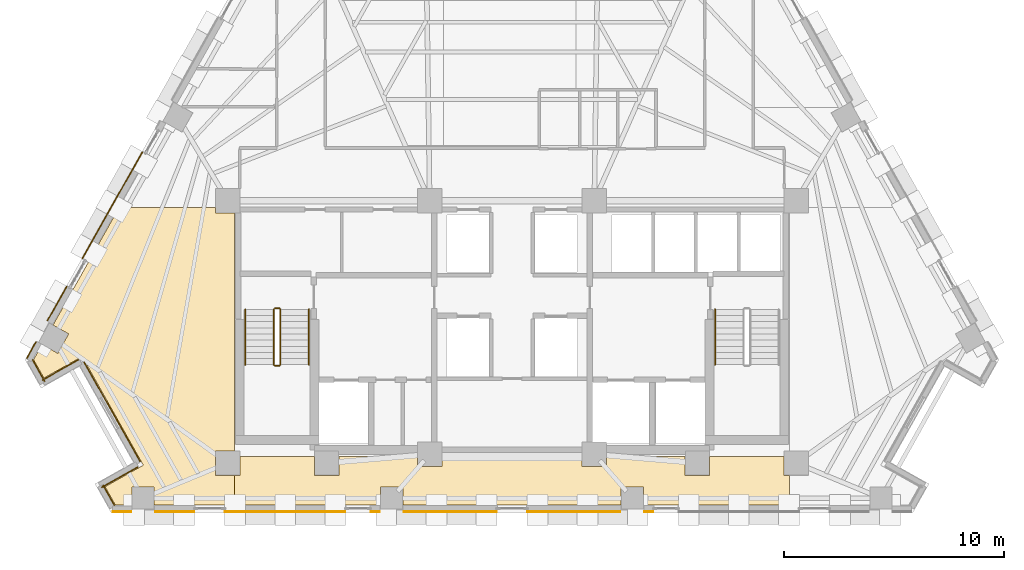
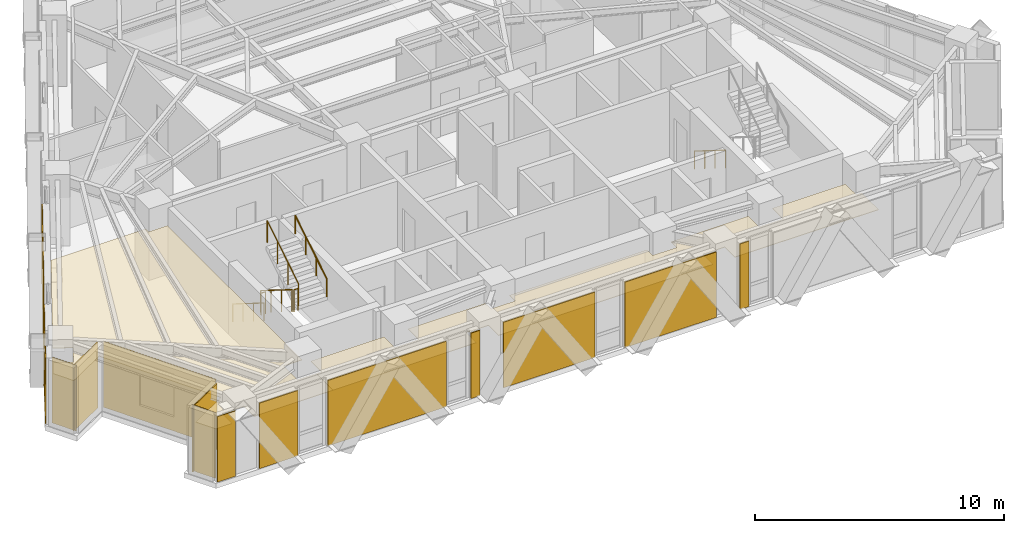
# One storey, part 10 of 13: 17 coverings, 7 railings.
"""IFC4 building model written with IfcOpenShell, lengths in metres."""

from ifc_helpers import new_model, si_unit, direction, frame, origin, origin_2d, place, context, subcontext, project, spatial, polyline, circle, outline, extrude, material, layer, layer_set, type_object, element, save


model = new_model("IFC4")

# Units and contexts
model_context = context("Model", 3, precision=1e-05, world=origin(), true_north=direction((0.0, 1.0)))
body_context = subcontext(model_context, "Body", "Model", "MODEL_VIEW")
ifc_project = project(units=[si_unit("LENGTHUNIT", "METRE"), si_unit("AREAUNIT", "SQUARE_METRE"), si_unit("VOLUMEUNIT", "CUBIC_METRE"), si_unit("PLANEANGLEUNIT", "RADIAN"), si_unit("MASSUNIT", "GRAM", prefix="KILO")], contexts=[model_context])

# Site, building, storey
site_placement = place(None, origin())
site = spatial("IfcSite", under=ifc_project, at=site_placement, CompositionType="ELEMENT")
building_placement = place(site_placement, origin())
building = spatial("IfcBuilding", under=site, at=building_placement, Name="Quenlor Broadcast Tower", CompositionType="ELEMENT")
storey_placement = place(building_placement, frame((0.0, 0.0, 158.0)))
storey = spatial("IfcBuildingStorey", under=building, at=storey_placement, Name="L43", CompositionType="ELEMENT", Elevation=158.0)

# Coverings
ifc_material_1 = material(Name="Acoustic Mineral Fibre Board", Category="other")
ifc_layer_1 = layer(ifc_material_1, 0.02490234375)
ifc_layer_set_1 = layer_set([ifc_layer_1], Name="Acoustic Perforated Mineral Tile Ceiling 25")
covering_type_1 = type_object("IfcCoveringType", Name="Acoustic Perforated Mineral Tile Ceiling 25", PredefinedType="CEILING", material=ifc_layer_set_1)
covering_1_placement = place(storey_placement, frame((0.0, 0.0, 2.375)))
element("IfcCovering", 1, at=covering_1_placement, inside=storey, type_object=covering_type_1, Name="L43 Acoustic Ceiling L43-35-3", PredefinedType="CEILING", context=body_context, shape_type="SweptSolid", body=[
    extrude(outline(polyline([(-21.794921875, -12.0400390625), (-21.406982421875, -11.350341796875), (-20.694091796875, -11.751220703125), (-20.19580078125, -10.86572265625), (-20.90869140625, -10.46484375), (-17.90234375, -5.1201171875), (-13.508056640625, -5.1201171875), (-13.508056640625, -5.35791015625), (-12.64990234375, -5.35791015625), (-12.64990234375, -16.19189453125), (-13.508056640625, -16.19189453125), (-13.508056640625, -17.30810546875), (-12.64990234375, -17.30810546875), (-12.64990234375, -18.659912109375), (-16.30029296875, -18.659912109375), (-16.30029296875, -17.842041015625), (-17.31640625, -17.842041015625), (-17.31640625, -18.659912109375), (-18.071044921875, -18.659912109375), (-18.538818359375, -17.82861328125), (-16.795654296875, -16.847900390625), (-19.580322265625, -11.8974609375), (-21.323486328125, -12.878173828125), (-21.794921875, -12.0400390625)])), origin(), (0.0, 0.0, 1.0), 0.02490234375),
])
covering_2_placement = place(storey_placement, frame((0.0, 0.0, 2.375)))
element("IfcCovering", 2, at=covering_2_placement, inside=storey, type_object=covering_type_1, Name="L43 Acoustic Ceiling L43-35-5", PredefinedType="CEILING", context=body_context, shape_type="SweptSolid", body=[
    extrude(outline(polyline([(-12.39208984375, -17.30810546875), (-12.39208984375, -16.449951171875), (-9.008056640625, -16.449951171875), (-9.008056640625, -17.30810546875), (-7.89208984375, -17.30810546875), (-7.89208984375, -16.449951171875), (-4.30810546875, -16.449951171875), (-4.30810546875, -16.907958984375), (-3.19189453125, -16.907958984375), (-3.19189453125, -16.449951171875), (3.19189453125, -16.449951171875), (3.19189453125, -16.907958984375), (4.30810546875, -16.907958984375), (4.30810546875, -16.449951171875), (7.89208984375, -16.449951171875), (7.89208984375, -17.30810546875), (9.008056640625, -17.30810546875), (9.008056640625, -16.449951171875), (12.39208984375, -16.449951171875), (12.39208984375, -17.30810546875), (12.64990234375, -17.30810546875), (12.64990234375, -18.659912109375), (5.989013671875, -18.659912109375), (5.989013671875, -17.842041015625), (4.972900390625, -17.842041015625), (4.972900390625, -18.659912109375), (-4.972900390625, -18.659912109375), (-4.972900390625, -17.842041015625), (-5.989013671875, -17.842041015625), (-5.989013671875, -18.659912109375), (-12.64990234375, -18.659912109375), (-12.64990234375, -17.30810546875), (-12.39208984375, -17.30810546875)])), origin(), (0.0, 0.0, 1.0), 0.02490234375),
])
ifc_material_2 = material(Name="Architectural Terracotta Ceramic", Category="masonry")
ifc_layer_2 = layer(ifc_material_2, 0.044921875)
ifc_layer_set_2 = layer_set([ifc_layer_2], Name="Fluted Terracotta Rainscreen Cladding Panel")
covering_type_2 = type_object("IfcCoveringType", Name="Fluted Terracotta Rainscreen Cladding Panel", PredefinedType="CLADDING", material=ifc_layer_set_2)
covering_3_placement = place(storey_placement, frame((0.0, 0.0, 0.02001953125)))
element("IfcCovering", 3, at=covering_3_placement, inside=storey, type_object=covering_type_2, Name="L43 Terracotta Rainscreen Cladding L43-SHD-SS1", PredefinedType="CLADDING", context=body_context, shape_type="SweptSolid", body=[
    extrude(outline(polyline([(-17.343505859375, -18.93701171875), (-18.179931640625, -18.93701171875), (-18.179931640625, -18.98193359375), (-17.343505859375, -18.98193359375), (-17.343505859375, -18.93701171875)])), origin(), (0.0, 0.0, 1.0), 3.2099609375),
])
covering_4_placement = place(storey_placement, frame((0.0, 0.0, 0.02001953125)))
element("IfcCovering", 4, at=covering_4_placement, inside=storey, type_object=covering_type_2, Name="L43 Terracotta Rainscreen Cladding L43-SA-SP3", PredefinedType="CLADDING", context=body_context, shape_type="SweptSolid", body=[
    extrude(outline(polyline([(6.43603515625, -18.95703125), (6.035888671875, -18.95703125), (6.035888671875, -19.001953125), (6.43603515625, -19.001953125), (6.43603515625, -18.95703125)])), origin(), (0.0, 0.0, 1.0), 3.2099609375),
])
covering_5_placement = place(storey_placement, frame((0.0, 0.0, 0.02001953125)))
element("IfcCovering", 5, at=covering_5_placement, inside=storey, type_object=covering_type_2, Name="L43 Terracotta Rainscreen Cladding L43-SC-SP1", PredefinedType="CLADDING", context=body_context, shape_type="SweptSolid", body=[
    extrude(outline(polyline([(-6.035888671875, -18.95703125), (-6.43603515625, -18.95703125), (-6.43603515625, -19.001953125), (-6.035888671875, -19.001953125), (-6.035888671875, -18.95703125)])), origin(), (0.0, 0.0, 1.0), 3.2099609375),
])
covering_6_placement = place(storey_placement, frame((0.0, 0.0, 0.02001953125)))
element("IfcCovering", 6, at=covering_6_placement, inside=storey, type_object=covering_type_2, Name="L43 Terracotta Rainscreen Cladding L43-SC-SP2", PredefinedType="CLADDING", context=body_context, shape_type="SweptSolid", body=[
    extrude(outline(polyline([(-7.5869140625, -18.95703125), (-13.076904296875, -18.95703125), (-13.076904296875, -19.001953125), (-7.5869140625, -19.001953125), (-7.5869140625, -18.95703125)])), origin(), (0.0, 0.0, 1.0), 3.2099609375),
])
covering_7_placement = place(storey_placement, frame((0.0, 0.0, 0.02001953125)))
element("IfcCovering", 7, at=covering_7_placement, inside=storey, type_object=covering_type_2, Name="L43 Terracotta Rainscreen Cladding L43-SC-SP3", PredefinedType="CLADDING", context=body_context, shape_type="SweptSolid", body=[
    extrude(outline(polyline([(-14.47509765625, -18.95703125), (-16.25341796875, -18.95703125), (-16.25341796875, -19.001953125), (-14.47509765625, -19.001953125), (-14.47509765625, -18.95703125)])), origin(), (0.0, 0.0, 1.0), 3.2099609375),
])
covering_8_placement = place(storey_placement, frame((0.0, 0.0, 0.02001953125)))
element("IfcCovering", 8, at=covering_8_placement, inside=storey, type_object=covering_type_2, Name="L43 Terracotta Rainscreen Cladding L43-S-SP1", PredefinedType="CLADDING", context=body_context, shape_type="SweptSolid", body=[
    extrude(outline(polyline([(4.930908203125, -18.95703125), (0.698974609375, -18.95703125), (0.698974609375, -19.001953125), (4.930908203125, -19.001953125), (4.930908203125, -18.95703125)])), origin(), (0.0, 0.0, 1.0), 3.2099609375),
])
covering_9_placement = place(storey_placement, frame((0.0, 0.0, 0.02001953125)))
element("IfcCovering", 9, at=covering_9_placement, inside=storey, type_object=covering_type_2, Name="L43 Terracotta Rainscreen Cladding L43-S-SP2", PredefinedType="CLADDING", context=body_context, shape_type="SweptSolid", body=[
    extrude(outline(polyline([(-0.698974609375, -18.95703125), (-4.930908203125, -18.95703125), (-4.930908203125, -19.001953125), (-0.698974609375, -19.001953125), (-0.698974609375, -18.95703125)])), origin(), (0.0, 0.0, 1.0), 3.2099609375),
])
covering_10_placement = place(storey_placement, frame((0.0, 0.0, 0.02001953125)))
element("IfcCovering", 10, at=covering_10_placement, inside=storey, type_object=covering_type_2, Name="L43 Terracotta Rainscreen Cladding L43-SHD-NWS0", PredefinedType="CLADDING", context=body_context, shape_type="SweptSolid", body=[
    extrude(outline(polyline([(-22.0859375, -11.992431640625), (-21.66162109375, -11.23779296875), (-21.70068359375, -11.2158203125), (-22.125244140625, -11.970458984375), (-22.0859375, -11.992431640625)])), origin(), (0.0, 0.0, 1.0), 3.2099609375),
])
covering_11_placement = place(storey_placement, frame((0.0, 0.0, 0.02001953125)))
element("IfcCovering", 11, at=covering_11_placement, inside=storey, type_object=covering_type_2, Name="L43 Terracotta Rainscreen Cladding L43-NWA-SP1", PredefinedType="CLADDING", context=body_context, shape_type="SweptSolid", body=[
    extrude(outline(polyline([(-21.14453125, -10.278076171875), (-20.26416015625, -8.712646484375), (-20.30322265625, -8.690673828125), (-21.183837890625, -10.256103515625), (-21.14453125, -10.278076171875)])), origin(), (0.0, 0.0, 1.0), 3.2099609375),
])
covering_12_placement = place(storey_placement, frame((0.0, 0.0, 0.02001953125)))
element("IfcCovering", 12, at=covering_12_placement, inside=storey, type_object=covering_type_2, Name="L43 Terracotta Rainscreen Cladding L43-NWA-SP2", PredefinedType="CLADDING", context=body_context, shape_type="SweptSolid", body=[
    extrude(outline(polyline([(-19.55322265625, -7.44921875), (-16.81591796875, -2.582763671875), (-16.855224609375, -2.560791015625), (-19.592529296875, -7.42724609375), (-19.55322265625, -7.44921875)])), origin(), (0.0, 0.0, 1.0), 3.2099609375),
])
covering_13_placement = place(storey_placement, frame((0.0, 0.0, 0.02001953125)))
element("IfcCovering", 13, at=covering_13_placement, inside=storey, type_object=covering_type_2, Name="L43 Terracotta Rainscreen Cladding L43-CNR-12", PredefinedType="CLADDING", context=body_context, shape_type="SweptSolid", body=[
    extrude(outline(polyline([(-21.864501953125, -12.0546875), (-21.309326171875, -13.0419921875), (-21.27001953125, -13.02001953125), (-21.825439453125, -12.03271484375), (-21.864501953125, -12.0546875)])), origin(), (0.0, 0.0, 1.0), 3.2099609375),
])
covering_14_placement = place(storey_placement, frame((0.0, 0.0, 0.02001953125)))
element("IfcCovering", 14, at=covering_14_placement, inside=storey, type_object=covering_type_2, Name="L43 Terracotta Rainscreen Cladding L43-CNR-13", PredefinedType="CLADDING", context=body_context, shape_type="SweptSolid", body=[
    extrude(outline(polyline([(-21.385986328125, -12.9912109375), (-19.72998046875, -12.059814453125), (-19.752197265625, -12.0205078125), (-21.408203125, -12.9521484375), (-21.385986328125, -12.9912109375)])), origin(), (0.0, 0.0, 1.0), 3.2099609375),
])
covering_15_placement = place(storey_placement, frame((0.0, 0.0, 0.02001953125)))
element("IfcCovering", 15, at=covering_15_placement, inside=storey, type_object=covering_type_2, Name="L43 Terracotta Rainscreen Cladding L43-CNR-14", PredefinedType="CLADDING", context=body_context, shape_type="SweptSolid", body=[
    extrude(outline(polyline([(-19.51708984375, -12.148681640625), (-16.9580078125, -16.6982421875), (-16.918701171875, -16.67626953125), (-19.477783203125, -12.126708984375), (-19.51708984375, -12.148681640625)])), origin(), (0.0, 0.0, 1.0), 3.2099609375),
])
covering_16_placement = place(storey_placement, frame((0.0, 0.0, 0.02001953125)))
element("IfcCovering", 16, at=covering_16_placement, inside=storey, type_object=covering_type_2, Name="L43 Terracotta Rainscreen Cladding L43-CNR-15", PredefinedType="CLADDING", context=body_context, shape_type="SweptSolid", body=[
    extrude(outline(polyline([(-17.046875, -16.911376953125), (-18.702880859375, -17.8427734375), (-18.680908203125, -17.882080078125), (-17.02490234375, -16.950439453125), (-17.046875, -16.911376953125)])), origin(), (0.0, 0.0, 1.0), 3.2099609375),
])
covering_17_placement = place(storey_placement, frame((0.0, 0.0, 0.02001953125)))
element("IfcCovering", 17, at=covering_17_placement, inside=storey, type_object=covering_type_2, Name="L43 Terracotta Rainscreen Cladding L43-CNR-16", PredefinedType="CLADDING", context=body_context, shape_type="SweptSolid", body=[
    extrude(outline(polyline([(-18.652099609375, -17.76611328125), (-18.127685546875, -18.697998046875), (-18.088623046875, -18.67578125), (-18.61279296875, -17.743896484375), (-18.652099609375, -17.76611328125)])), origin(), (0.0, 0.0, 1.0), 3.2099609375),
])

# Railings
ifc_material_3 = material(Name="Anodised Aluminium", Category="aluminium")
railing_type_1 = type_object("IfcRailingType", Name="Stainless Aluminium Wall Handrail 900", PredefinedType="HANDRAIL", material=ifc_material_3)
railing_1_placement = place(storey_placement, frame((-12.14990234375, -9.75, 0.175048828125)))
element("IfcRailing", 18, at=railing_1_placement, inside=storey, type_object=railing_type_1, Name="L43 ST-1 stair handrail 1", PredefinedType="HANDRAIL", context=body_context, shape_type="SweptSolid", body=[
    extrude(circle(Radius=0.02392578125, at=origin_2d()), frame((0.0, 0.0, 0.8759765625), z_axis=(0.0, -0.848007534815, 0.529984170421), x_axis=(1.0, 0.0, 0.0)), (0.0, 0.0, 1.0), 2.9716796875),
    extrude(circle(Radius=0.02099609375, at=origin_2d()), origin(), (0.0, 0.0, 1.0), 0.851806640625),
    extrude(circle(Radius=0.02099609375, at=origin_2d()), frame((0.0, -0.840087890625, 0.52490234375)), (0.0, 0.0, 1.0), 0.851806640625),
    extrude(circle(Radius=0.02099609375, at=origin_2d()), frame((0.0, -1.679931640625, 1.050048828125)), (0.0, 0.0, 1.0), 0.851806640625),
    extrude(circle(Radius=0.02099609375, at=origin_2d()), frame((0.0, -2.52001953125, 1.574951171875)), (0.0, 0.0, 1.0), 0.851806640625),
])
railing_2_placement = place(storey_placement, frame((-9.25, -12.27001953125, 1.925048828125)))
element("IfcRailing", 19, at=railing_2_placement, inside=storey, type_object=railing_type_1, Name="L43 ST-1 stair handrail 2", PredefinedType="HANDRAIL", context=body_context, shape_type="SweptSolid", body=[
    extrude(circle(Radius=0.02392578125, at=origin_2d()), frame((0.0, 0.0, 0.8759765625), z_axis=(0.0, 0.848007534815, 0.529984170421), x_axis=(-1.0, 0.0, 0.0)), (0.0, 0.0, 1.0), 2.9716796875),
    extrude(circle(Radius=0.02099609375, at=origin_2d()), origin(), (0.0, 0.0, 1.0), 0.851806640625),
    extrude(circle(Radius=0.02099609375, at=origin_2d()), frame((0.0, 0.840087890625, 0.52490234375)), (0.0, 0.0, 1.0), 0.851806640625),
    extrude(circle(Radius=0.02099609375, at=origin_2d()), frame((0.0, 1.679931640625, 1.050048828125)), (0.0, 0.0, 1.0), 0.851806640625),
    extrude(circle(Radius=0.02099609375, at=origin_2d()), frame((0.0, 2.52001953125, 1.574951171875)), (0.0, 0.0, 1.0), 0.851806640625),
])
railing_3_placement = place(storey_placement, frame((9.25, -9.75, 0.175048828125)))
element("IfcRailing", 20, at=railing_3_placement, inside=storey, type_object=railing_type_1, Name="L43 ST-2 stair handrail 1", PredefinedType="HANDRAIL", context=body_context, shape_type="SweptSolid", body=[
    extrude(circle(Radius=0.02392578125, at=origin_2d()), frame((0.0, 0.0, 0.8759765625), z_axis=(0.0, -0.848007534815, 0.529984170421), x_axis=(1.0, 0.0, 0.0)), (0.0, 0.0, 1.0), 2.9716796875),
    extrude(circle(Radius=0.02099609375, at=origin_2d()), origin(), (0.0, 0.0, 1.0), 0.851806640625),
    extrude(circle(Radius=0.02099609375, at=origin_2d()), frame((0.0, -0.840087890625, 0.52490234375)), (0.0, 0.0, 1.0), 0.851806640625),
    extrude(circle(Radius=0.02099609375, at=origin_2d()), frame((0.0, -1.679931640625, 1.050048828125)), (0.0, 0.0, 1.0), 0.851806640625),
    extrude(circle(Radius=0.02099609375, at=origin_2d()), frame((0.0, -2.52001953125, 1.574951171875)), (0.0, 0.0, 1.0), 0.851806640625),
])
ifc_material_4 = material(Name="Steel S355", Category="steel")
railing_type_2 = type_object("IfcRailingType", Name="Tubular Steel S355 Stair Guardrail 1100", PredefinedType="BALUSTRADE", material=ifc_material_4)
railing_4_placement = place(storey_placement, frame((-10.85009765625, -9.75, 0.175048828125)))
element("IfcRailing", 21, at=railing_4_placement, inside=storey, type_object=railing_type_2, Name="L43 ST-1 stair guard 1", PredefinedType="BALUSTRADE", context=body_context, shape_type="SweptSolid", body=[
    extrude(circle(Radius=0.02392578125, at=origin_2d()), frame((0.0, 0.0, 1.076171875), z_axis=(0.0, -0.848007534815, 0.529984170421), x_axis=(1.0, 0.0, 0.0)), (0.0, 0.0, 1.0), 2.9716796875),
    extrude(circle(Radius=0.02099609375, at=origin_2d()), origin(), (0.0, 0.0, 1.0), 1.052001953125),
    extrude(circle(Radius=0.02099609375, at=origin_2d()), frame((0.0, -0.840087890625, 0.52490234375)), (0.0, 0.0, 1.0), 1.052001953125),
    extrude(circle(Radius=0.02099609375, at=origin_2d()), frame((0.0, -1.679931640625, 1.050048828125)), (0.0, 0.0, 1.0), 1.052001953125),
    extrude(circle(Radius=0.02099609375, at=origin_2d()), frame((0.0, -2.52001953125, 1.574951171875)), (0.0, 0.0, 1.0), 1.052001953125),
])
railing_5_placement = place(storey_placement, frame((-10.800048828125, -12.320068359375, 1.75)))
element("IfcRailing", 22, at=railing_5_placement, inside=storey, type_object=railing_type_2, Name="L43 ST-1 stair guard 2", PredefinedType="BALUSTRADE", context=body_context, shape_type="SweptSolid", body=[
    extrude(circle(Radius=0.02392578125, at=origin_2d()), frame((0.0, 0.0, 1.076171875), z_axis=(1.0, 0.0, 0.0), x_axis=(0.0, 1.0, 0.0)), (0.0, 0.0, 1.0), 0.199951171875),
    extrude(circle(Radius=0.02099609375, at=origin_2d()), origin(), (0.0, 0.0, 1.0), 1.052001953125),
    extrude(circle(Radius=0.02099609375, at=origin_2d()), frame((0.199951171875, 0.0, 0.0)), (0.0, 0.0, 1.0), 1.052001953125),
])
railing_6_placement = place(storey_placement, frame((-10.550048828125, -12.27001953125, 1.925048828125)))
element("IfcRailing", 23, at=railing_6_placement, inside=storey, type_object=railing_type_2, Name="L43 ST-1 stair guard 3", PredefinedType="BALUSTRADE", context=body_context, shape_type="SweptSolid", body=[
    extrude(circle(Radius=0.02392578125, at=origin_2d()), frame((0.0, 0.0, 1.076171875), z_axis=(0.0, 0.848007534815, 0.529984170421), x_axis=(-1.0, 0.0, 0.0)), (0.0, 0.0, 1.0), 2.9716796875),
    extrude(circle(Radius=0.02099609375, at=origin_2d()), origin(), (0.0, 0.0, 1.0), 1.052001953125),
    extrude(circle(Radius=0.02099609375, at=origin_2d()), frame((0.0, 0.840087890625, 0.52490234375)), (0.0, 0.0, 1.0), 1.052001953125),
    extrude(circle(Radius=0.02099609375, at=origin_2d()), frame((0.0, 1.679931640625, 1.050048828125)), (0.0, 0.0, 1.0), 1.052001953125),
    extrude(circle(Radius=0.02099609375, at=origin_2d()), frame((0.0, 2.52001953125, 1.574951171875)), (0.0, 0.0, 1.0), 1.052001953125),
])
railing_7_placement = place(storey_placement, frame((-10.800048828125, -9.699951171875, 0.0)))
element("IfcRailing", 24, at=railing_7_placement, inside=storey, type_object=railing_type_2, Name="L43 ST-1 stair guard 4", PredefinedType="BALUSTRADE", context=body_context, shape_type="SweptSolid", body=[
    extrude(circle(Radius=0.02392578125, at=origin_2d()), frame((0.0, 0.0, 1.076171875), z_axis=(1.0, 0.0, 0.0), x_axis=(0.0, 1.0, 0.0)), (0.0, 0.0, 1.0), 0.199951171875),
    extrude(circle(Radius=0.02099609375, at=origin_2d()), origin(), (0.0, 0.0, 1.0), 1.052001953125),
    extrude(circle(Radius=0.02099609375, at=origin_2d()), frame((0.199951171875, 0.0, 0.0)), (0.0, 0.0, 1.0), 1.052001953125),
])

save(model, "model.ifc")
